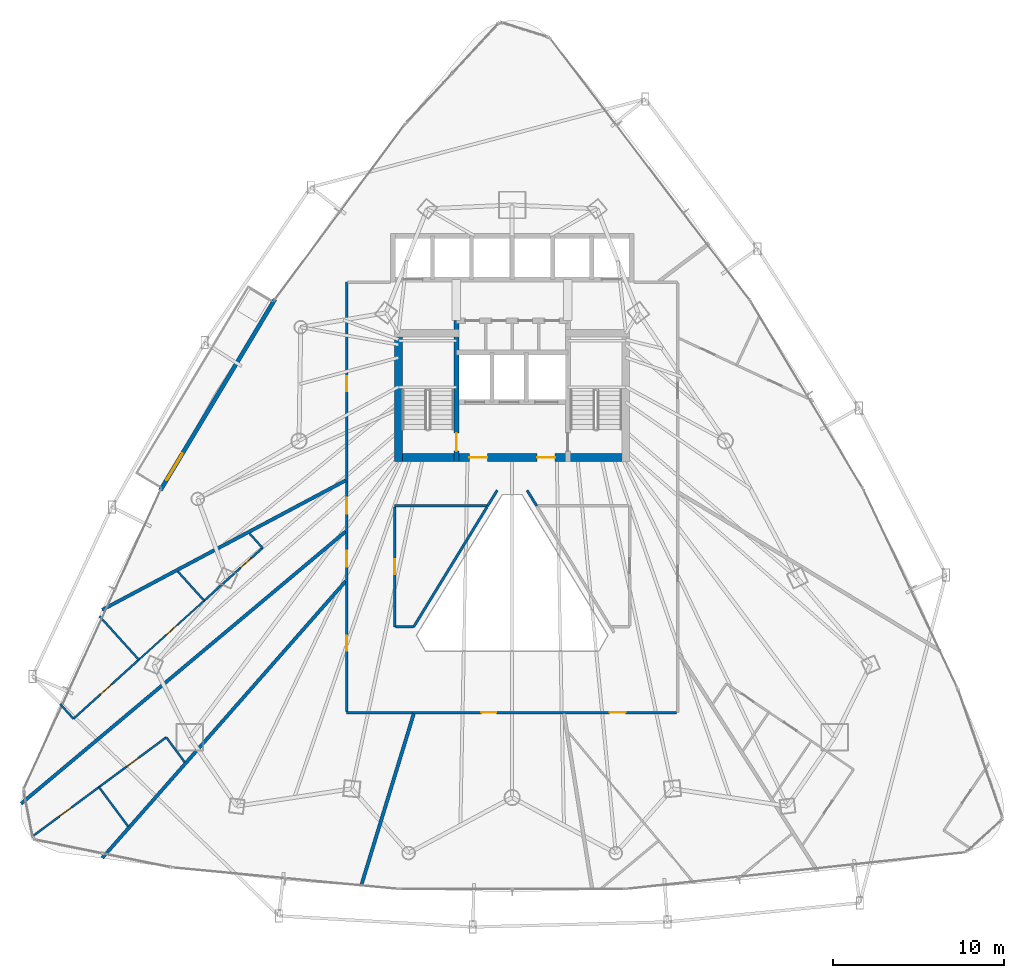
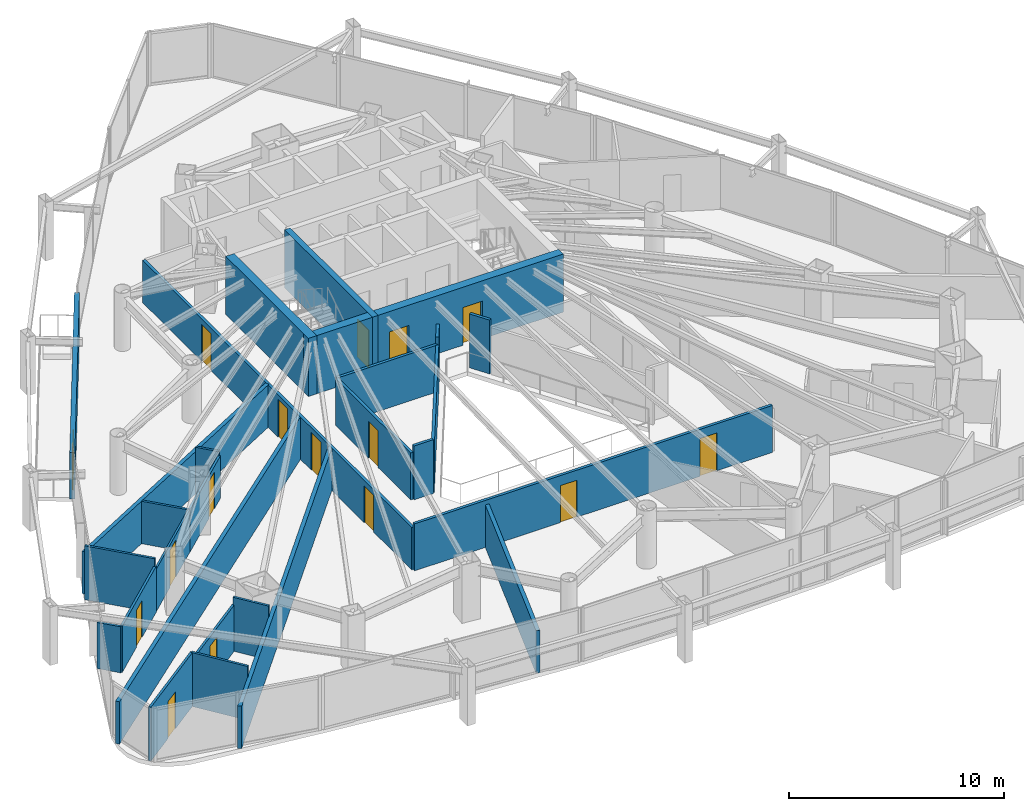
# One storey, part 32 of 38: 27 walls, 16 doors, 16 openings.
"""IFC4 building model written with IfcOpenShell, lengths in metres."""

from ifc_helpers import new_model, si_unit, direction, frame, frame_2d, origin, place, context, subcontext, project, spatial, rectangle, extrude, material, layer, layer_set, type_object, element, fill, save


model = new_model("IFC4")

# Units and contexts
model_context = context("Model", 3, precision=1e-05, world=origin(), true_north=direction((0.0, 1.0)))
body_context = subcontext(model_context, "Body", "Model", "MODEL_VIEW")
ifc_project = project(units=[si_unit("LENGTHUNIT", "METRE"), si_unit("AREAUNIT", "SQUARE_METRE"), si_unit("VOLUMEUNIT", "CUBIC_METRE"), si_unit("PLANEANGLEUNIT", "RADIAN"), si_unit("MASSUNIT", "GRAM", prefix="KILO")], contexts=[model_context])

# Site, building, storey
site_placement = place(None, origin())
site = spatial("IfcSite", under=ifc_project, at=site_placement, CompositionType="ELEMENT")
building_placement = place(site_placement, origin())
building = spatial("IfcBuilding", under=site, at=building_placement, Name="Orvanel Arch Residences", CompositionType="ELEMENT")
storey_placement = place(building_placement, frame((0.0, 0.0, 43.39990234375)))
storey = spatial("IfcBuildingStorey", under=building, at=storey_placement, Name="L11", CompositionType="ELEMENT", Elevation=43.39990234375)

# Wall, opening, door
ifc_material_1 = material(Name="Precast concrete N50 (50 MPa)", Category="concrete")
ifc_layer_1 = layer(ifc_material_1, 0.239990234375)
ifc_layer_set_1 = layer_set([ifc_layer_1], Name="Precast concrete N50 (50 MPa)")
wall_type_1 = type_object("IfcWallType", Name="EW-BAL-240", PredefinedType="SOLIDWALL", material=ifc_layer_set_1)
wall_1_placement = place(storey_placement, frame((19.162109375, 35.89599609375, 0.0), z_axis=(0.0, 0.0, 1.0), x_axis=(-0.514316069528, -0.857600711652, 0.0)))
wall_1 = element("IfcWall", 1, at=wall_1_placement, inside=storey, type_object=wall_type_1, Name="L11 Balcony Threshold Wall Face 1", PredefinedType="SOLIDWALL", context=body_context, shape_type="SweptSolid", body=[
    extrude(rectangle(XDim=12.988525390625, YDim=0.239990234375, at=frame_2d((6.494140625, 0.0))), origin(), (0.0, 0.0, 1.0), 2.6240234375),
])
opening_1_placement = place(wall_1_placement, frame((10.490966796875, 0.0, 0.0)))
opening_1 = element("IfcOpeningElement", 2, at=opening_1_placement, cuts=wall_1, Name="Opening DB-180", PredefinedType="OPENING", context=body_context, shape_type="SweptSolid", body=[
    extrude(rectangle(XDim=1.800048828125, YDim=2.199951171875, at=frame_2d((0.89990234375, 1.10009765625))), frame((0.0, 0.1298828125, 0.0), z_axis=(0.0, -1.0, 0.0), x_axis=(1.0, 0.0, 0.0)), (0.0, 0.0, 1.0), 0.260009765625),
])
ifc_material_2 = material(Name="Bronze-anodised aluminium AA6063-T6", Category="aluminium")
door_type_1 = type_object("IfcDoorType", Name="DR-BAL-1800", OperationType="NOTDEFINED", PredefinedType="DOOR", material=ifc_material_2)
door_1_placement = place(opening_1_placement, origin())
door_1 = element("IfcDoor", 3, at=door_1_placement, inside=storey, type_object=door_type_1, Name="DR-L11-BAL-F1 L11 Planted Balcony Access Door Face 1", OperationType="SINGLE_SWING_LEFT", OverallHeight=2.199951171875, OverallWidth=1.800048828125, PredefinedType="DOOR", context=body_context, shape_type="SweptSolid", body=[
    extrude(rectangle(XDim=1.800048828125, YDim=2.199951171875, at=frame_2d((0.89990234375, 1.10009765625))), frame((0.0, 0.02490234375, 0.0), z_axis=(0.0, -1.0, 0.0), x_axis=(1.0, 0.0, 0.0)), (0.0, 0.0, 1.0), 0.050048828125),
])
fill(opening_1, door_1)

ifc_material_3 = material(Name="Concrete S80 (80 MPa)", Category="concrete")
ifc_layer_2 = layer(ifc_material_3, 0.300048828125)
ifc_layer_set_2 = layer_set([ifc_layer_2], Name="Concrete S80 (80 MPa)")
wall_type_2 = type_object("IfcWallType", Name="SW-CORE-300", PredefinedType="SHEAR", material=ifc_layer_set_2)
wall_2_placement = place(storey_placement, frame((29.75, 26.449951171875, 0.0), z_axis=(0.0, 0.0, 1.0), x_axis=(0.0, 1.0, 0.0)))
wall_2 = element("IfcWall", 4, at=wall_2_placement, inside=storey, type_object=wall_type_2, Name="L11 West Inner Core Spine Shear Wall", PredefinedType="SHEAR", context=body_context, shape_type="SweptSolid", body=[
    extrude(rectangle(XDim=8.199951171875, YDim=0.300048828125, at=frame_2d((4.10009765625, 0.0))), origin(), (0.0, 0.0, 1.0), 3.300048828125),
])
opening_2_placement = place(wall_2_placement, frame((0.60009765625, 0.0, 0.0)))
opening_2 = element("IfcOpeningElement", 5, at=opening_2_placement, cuts=wall_2, Name="Opening DF-120", PredefinedType="OPENING", context=body_context, shape_type="SweptSolid", body=[
    extrude(rectangle(XDim=1.050048828125, YDim=2.14990234375, at=frame_2d((0.52490234375, 1.074951171875))), frame((0.0, 0.159912109375, 0.0), z_axis=(0.0, -1.0, 0.0), x_axis=(1.0, 0.0, 0.0)), (0.0, 0.0, 1.0), 0.320068359375),
])
ifc_material_4 = material(Name="Galvanised steel fire-resisting door assembly", Category="steel")
door_type_2 = type_object("IfcDoorType", Name="DR-FD120-1050", OperationType="NOTDEFINED", PredefinedType="DOOR", material=ifc_material_4)
door_2_placement = place(opening_2_placement, origin())
door_2 = element("IfcDoor", 6, at=door_2_placement, inside=storey, type_object=door_type_2, Name="DR-L11-ST1 L11 Stair 1 Fire Door", OperationType="SINGLE_SWING_LEFT", OverallHeight=2.14990234375, OverallWidth=1.050048828125, PredefinedType="DOOR", context=body_context, shape_type="SweptSolid", body=[
    extrude(rectangle(XDim=1.050048828125, YDim=2.14990234375, at=frame_2d((0.52490234375, 1.074951171875))), frame((0.0, 0.02490234375, 0.0), z_axis=(0.0, -1.0, 0.0), x_axis=(1.0, 0.0, 0.0)), (0.0, 0.0, 1.0), 0.050048828125),
])
fill(opening_2, door_2)

# Wall, openings, doors
ifc_layer_3 = layer(ifc_material_3, 0.449951171875)
ifc_layer_set_3 = layer_set([ifc_layer_3], Name="Concrete S80 (80 MPa)")
wall_type_3 = type_object("IfcWallType", Name="SW-CORE-450", PredefinedType="SHEAR", material=ifc_layer_set_3)
wall_3_placement = place(storey_placement, frame((26.14990234375, 26.675048828125, 0.0), z_axis=(0.0, 0.0, 1.0), x_axis=(1.0, 0.0, 0.0)))
wall_3 = element("IfcWall", 7, at=wall_3_placement, inside=storey, type_object=wall_type_3, Name="L11 South Core Shear Wall", PredefinedType="SHEAR", context=body_context, shape_type="SweptSolid", body=[
    extrude(rectangle(XDim=13.7001953125, YDim=0.449951171875, at=frame_2d((6.85009765625, 0.0))), origin(), (0.0, 0.0, 1.0), 3.300048828125),
])
opening_3_placement = place(wall_3_placement, frame((4.35009765625, 0.0, 0.0)))
opening_3 = element("IfcOpeningElement", 8, at=opening_3_placement, cuts=wall_3, Name="Opening DF-060", PredefinedType="OPENING", context=body_context, shape_type="SweptSolid", body=[
    extrude(rectangle(XDim=1.050048828125, YDim=2.14990234375, at=frame_2d((0.52490234375, 1.074951171875))), frame((0.0, 0.23486328125, 0.0), z_axis=(0.0, -1.0, 0.0), x_axis=(1.0, 0.0, 0.0)), (0.0, 0.0, 1.0), 0.469970703125),
])
opening_4_placement = place(wall_3_placement, frame((8.300048828125, 0.0, 0.0)))
opening_4 = element("IfcOpeningElement", 9, at=opening_4_placement, cuts=wall_3, Name="Opening DF-060", PredefinedType="OPENING", context=body_context, shape_type="SweptSolid", body=[
    extrude(rectangle(XDim=1.050048828125, YDim=2.14990234375, at=frame_2d((0.52490234375, 1.074951171875))), frame((0.0, 0.23486328125, 0.0), z_axis=(0.0, -1.0, 0.0), x_axis=(1.0, 0.0, 0.0)), (0.0, 0.0, 1.0), 0.469970703125),
])
door_type_3 = type_object("IfcDoorType", Name="DR-FD60-1050", OperationType="NOTDEFINED", PredefinedType="DOOR", material=ifc_material_4)
door_3_placement = place(opening_3_placement, origin())
door_3 = element("IfcDoor", 10, at=door_3_placement, inside=storey, type_object=door_type_3, Name="DR-L11-FFL-W L11 West Smoke Lobby Door", OperationType="SINGLE_SWING_LEFT", OverallHeight=2.14990234375, OverallWidth=1.050048828125, PredefinedType="DOOR", context=body_context, shape_type="SweptSolid", body=[
    extrude(rectangle(XDim=1.050048828125, YDim=2.14990234375, at=frame_2d((0.52490234375, 1.074951171875))), frame((0.0, 0.02490234375, 0.0), z_axis=(0.0, -1.0, 0.0), x_axis=(1.0, 0.0, 0.0)), (0.0, 0.0, 1.0), 0.050048828125),
])
fill(opening_3, door_3)
door_4_placement = place(opening_4_placement, origin())
door_4 = element("IfcDoor", 11, at=door_4_placement, inside=storey, type_object=door_type_3, Name="DR-L11-FFL-E L11 East Smoke Lobby Door", OperationType="SINGLE_SWING_RIGHT", OverallHeight=2.14990234375, OverallWidth=1.050048828125, PredefinedType="DOOR", context=body_context, shape_type="SweptSolid", body=[
    extrude(rectangle(XDim=1.050048828125, YDim=2.14990234375, at=frame_2d((0.52490234375, 1.074951171875))), frame((0.0, 0.02490234375, 0.0), z_axis=(0.0, -1.0, 0.0), x_axis=(1.0, 0.0, 0.0)), (0.0, 0.0, 1.0), 0.050048828125),
])
fill(opening_4, door_4)

# Wall
wall_4_placement = place(storey_placement, frame((26.375, 26.449951171875, 0.0), z_axis=(0.0, 0.0, 1.0), x_axis=(0.0, 1.0, 0.0)))
element("IfcWall", 12, at=wall_4_placement, inside=storey, type_object=wall_type_3, Name="L11 West Stair Shear Wall", PredefinedType="SHEAR", context=body_context, shape_type="SweptSolid", body=[
    extrude(rectangle(XDim=7.699951171875, YDim=0.449951171875, at=frame_2d((3.85009765625, 0.0))), origin(), (0.0, 0.0, 1.0), 3.300048828125),
])

# Wall, openings, doors
ifc_material_5 = material(Name="Fire-rated plasterboard lined steel stud partition", Category="steel")
ifc_layer_4 = layer(ifc_material_5, 0.14990234375)
ifc_layer_set_4 = layer_set([ifc_layer_4], Name="Fire-rated plasterboard lined steel stud partition")
wall_type_4 = type_object("IfcWallType", Name="W-COR-150", PredefinedType="PARTITIONING", material=ifc_layer_set_4)
wall_5_placement = place(storey_placement, frame((42.590087890625, 11.800048828125, 0.0), z_axis=(0.0, 0.0, 1.0), x_axis=(-1.0, 0.0, 0.0)))
wall_5 = element("IfcWall", 13, at=wall_5_placement, inside=storey, type_object=wall_type_4, Name="L11 Corridor Fire-Rated Partition", PredefinedType="PARTITIONING", context=body_context, shape_type="SweptSolid", body=[
    extrude(rectangle(XDim=19.239990234375, YDim=0.14990234375, at=frame_2d((9.6201171875, 0.0))), origin(), (0.0, 0.0, 1.0), 2.669189453125),
])
opening_5_placement = place(wall_5_placement, frame((10.508056640625, 0.0, 0.0)))
opening_5 = element("IfcOpeningElement", 14, at=opening_5_placement, cuts=wall_5, Name="Opening DI-088", PredefinedType="OPENING", context=body_context, shape_type="SweptSolid", body=[
    extrude(rectangle(XDim=0.8798828125, YDim=2.10009765625, at=frame_2d((0.43994140625, 1.050048828125))), frame((0.0, 0.0849609375, 0.0), z_axis=(0.0, -1.0, 0.0), x_axis=(1.0, 0.0, 0.0)), (0.0, 0.0, 1.0), 0.169921875),
])
opening_6_placement = place(wall_5_placement, frame((2.97998046875, 0.0, 0.0)))
opening_6 = element("IfcOpeningElement", 15, at=opening_6_placement, cuts=wall_5, Name="Opening DA-092", PredefinedType="OPENING", context=body_context, shape_type="SweptSolid", body=[
    extrude(rectangle(XDim=0.919921875, YDim=2.14990234375, at=frame_2d((0.4599609375, 1.074951171875))), frame((0.0, 0.0849609375, 0.0), z_axis=(0.0, -1.0, 0.0), x_axis=(1.0, 0.0, 0.0)), (0.0, 0.0, 1.0), 0.169921875),
])
ifc_material_6 = material(Name="Solid-core European oak veneer fire door leaf", Category="wood")
door_type_4 = type_object("IfcDoorType", Name="DR-APT-920", OperationType="NOTDEFINED", PredefinedType="DOOR", material=ifc_material_6)
door_5_placement = place(opening_6_placement, origin())
door_5 = element("IfcDoor", 16, at=door_5_placement, inside=storey, type_object=door_type_4, Name="DR-L11-F-ENT L11 Studio F Entrance Door", OperationType="SINGLE_SWING_LEFT", OverallHeight=2.14990234375, OverallWidth=0.919921875, PredefinedType="DOOR", context=body_context, shape_type="SweptSolid", body=[
    extrude(rectangle(XDim=0.919921875, YDim=2.14990234375, at=frame_2d((0.4599609375, 1.074951171875))), frame((0.0, 0.02490234375, 0.0), z_axis=(0.0, -1.0, 0.0), x_axis=(1.0, 0.0, 0.0)), (0.0, 0.0, 1.0), 0.050048828125),
])
fill(opening_6, door_5)
door_type_5 = type_object("IfcDoorType", Name="DR-INT-880", OperationType="NOTDEFINED", PredefinedType="DOOR", material=ifc_material_6)
door_6_placement = place(opening_5_placement, origin())
door_6 = element("IfcDoor", 17, at=door_6_placement, inside=storey, type_object=door_type_5, Name="DR-L11-SHRD-FB5 L11 Co-Working Study Office E Door", OperationType="SINGLE_SWING_LEFT", OverallHeight=2.10009765625, OverallWidth=0.8798828125, PredefinedType="DOOR", context=body_context, shape_type="SweptSolid", body=[
    extrude(rectangle(XDim=0.8798828125, YDim=2.10009765625, at=frame_2d((0.43994140625, 1.050048828125))), frame((0.0, 0.02490234375, 0.0), z_axis=(0.0, -1.0, 0.0), x_axis=(1.0, 0.0, 0.0)), (0.0, 0.0, 1.0), 0.050048828125),
])
fill(opening_5, door_6)

wall_6_placement = place(storey_placement, frame((23.35009765625, 11.860107421875, 0.0), z_axis=(0.0, 0.0, 1.0), x_axis=(0.0, 1.0, 0.0)))
wall_6 = element("IfcWall", 18, at=wall_6_placement, inside=storey, type_object=wall_type_4, Name="L11 Corridor Fire-Rated Partition", PredefinedType="PARTITIONING", context=body_context, shape_type="SweptSolid", body=[
    extrude(rectangle(XDim=25.039794921875, YDim=0.14990234375, at=frame_2d((12.52001953125, 0.0))), origin(), (0.0, 0.0, 1.0), 2.4130859375),
])
opening_7_placement = place(wall_6_placement, frame((18.669921875, 0.0, 0.0)))
opening_7 = element("IfcOpeningElement", 19, at=opening_7_placement, cuts=wall_6, Name="Opening DI-088", PredefinedType="OPENING", context=body_context, shape_type="SweptSolid", body=[
    extrude(rectangle(XDim=0.8798828125, YDim=2.10009765625, at=frame_2d((0.43994140625, 1.050048828125))), frame((0.0, 0.0849609375, 0.0), z_axis=(0.0, -1.0, 0.0), x_axis=(1.0, 0.0, 0.0)), (0.0, 0.0, 1.0), 0.169921875),
])
opening_8_placement = place(wall_6_placement, frame((3.54296875, 0.0, 0.0)))
opening_8 = element("IfcOpeningElement", 20, at=opening_8_placement, cuts=wall_6, Name="Opening DI-088", PredefinedType="OPENING", context=body_context, shape_type="SweptSolid", body=[
    extrude(rectangle(XDim=0.8798828125, YDim=2.10009765625, at=frame_2d((0.43994140625, 1.050048828125))), frame((0.0, 0.0849609375, 0.0), z_axis=(0.0, -1.0, 0.0), x_axis=(1.0, 0.0, 0.0)), (0.0, 0.0, 1.0), 0.169921875),
])
opening_9_placement = place(wall_6_placement, frame((8.445068359375, 0.0, 0.0)))
opening_9 = element("IfcOpeningElement", 21, at=opening_9_placement, cuts=wall_6, Name="Opening DA-092", PredefinedType="OPENING", context=body_context, shape_type="SweptSolid", body=[
    extrude(rectangle(XDim=0.919921875, YDim=2.14990234375, at=frame_2d((0.4599609375, 1.074951171875))), frame((0.0, 0.0849609375, 0.0), z_axis=(0.0, -1.0, 0.0), x_axis=(1.0, 0.0, 0.0)), (0.0, 0.0, 1.0), 0.169921875),
])
opening_10_placement = place(wall_6_placement, frame((11.534912109375, 0.0, 0.0)))
opening_10 = element("IfcOpeningElement", 22, at=opening_10_placement, cuts=wall_6, Name="Opening DA-092", PredefinedType="OPENING", context=body_context, shape_type="SweptSolid", body=[
    extrude(rectangle(XDim=0.919921875, YDim=2.14990234375, at=frame_2d((0.4599609375, 1.074951171875))), frame((0.0, 0.0849609375, 0.0), z_axis=(0.0, -1.0, 0.0), x_axis=(1.0, 0.0, 0.0)), (0.0, 0.0, 1.0), 0.169921875),
])
door_7_placement = place(opening_9_placement, origin())
door_7 = element("IfcDoor", 23, at=door_7_placement, inside=storey, type_object=door_type_4, Name="DR-L11-G-ENT L11 Studio G Entrance Door", OperationType="SINGLE_SWING_RIGHT", OverallHeight=2.14990234375, OverallWidth=0.919921875, PredefinedType="DOOR", context=body_context, shape_type="SweptSolid", body=[
    extrude(rectangle(XDim=0.919921875, YDim=2.14990234375, at=frame_2d((0.4599609375, 1.074951171875))), frame((0.0, 0.02490234375, 0.0), z_axis=(0.0, -1.0, 0.0), x_axis=(1.0, 0.0, 0.0)), (0.0, 0.0, 1.0), 0.050048828125),
])
fill(opening_9, door_7)
door_8_placement = place(opening_10_placement, origin())
door_8 = element("IfcDoor", 24, at=door_8_placement, inside=storey, type_object=door_type_4, Name="DR-L11-H-ENT L11 Studio H Entrance Door", OperationType="SINGLE_SWING_LEFT", OverallHeight=2.14990234375, OverallWidth=0.919921875, PredefinedType="DOOR", context=body_context, shape_type="SweptSolid", body=[
    extrude(rectangle(XDim=0.919921875, YDim=2.14990234375, at=frame_2d((0.4599609375, 1.074951171875))), frame((0.0, 0.02490234375, 0.0), z_axis=(0.0, -1.0, 0.0), x_axis=(1.0, 0.0, 0.0)), (0.0, 0.0, 1.0), 0.050048828125),
])
fill(opening_10, door_8)
door_9_placement = place(opening_7_placement, origin())
door_9 = element("IfcDoor", 25, at=door_9_placement, inside=storey, type_object=door_type_5, Name="DR-L11-SHRD-FB1 L11 Co-Working Study Office A Door", OperationType="SINGLE_SWING_LEFT", OverallHeight=2.10009765625, OverallWidth=0.8798828125, PredefinedType="DOOR", context=body_context, shape_type="SweptSolid", body=[
    extrude(rectangle(XDim=0.8798828125, YDim=2.10009765625, at=frame_2d((0.43994140625, 1.050048828125))), frame((0.0, 0.02490234375, 0.0), z_axis=(0.0, -1.0, 0.0), x_axis=(1.0, 0.0, 0.0)), (0.0, 0.0, 1.0), 0.050048828125),
])
fill(opening_7, door_9)
door_10_placement = place(opening_8_placement, origin())
door_10 = element("IfcDoor", 26, at=door_10_placement, inside=storey, type_object=door_type_5, Name="DR-L11-SHRD-FB3 L11 Co-Working Study Office C Door", OperationType="SINGLE_SWING_LEFT", OverallHeight=2.10009765625, OverallWidth=0.8798828125, PredefinedType="DOOR", context=body_context, shape_type="SweptSolid", body=[
    extrude(rectangle(XDim=0.8798828125, YDim=2.10009765625, at=frame_2d((0.43994140625, 1.050048828125))), frame((0.0, 0.02490234375, 0.0), z_axis=(0.0, -1.0, 0.0), x_axis=(1.0, 0.0, 0.0)), (0.0, 0.0, 1.0), 0.050048828125),
])
fill(opening_8, door_10)

# Walls
wall_7_placement = place(storey_placement, frame((32.12890625, 24.758056640625, 0.0), z_axis=(0.0, 0.0, 1.0), x_axis=(-0.525488010188, -0.850801005611, 0.0)))
element("IfcWall", 27, at=wall_7_placement, inside=storey, type_object=wall_type_4, Name="L11 Corridor Fire-Rated Partition", PredefinedType="PARTITIONING", context=body_context, shape_type="SweptSolid", body=[
    extrude(rectangle(XDim=1.067138671875, YDim=0.14990234375, at=frame_2d((0.53369140625, 0.0))), origin(), (0.0, 0.0, 1.0), 3.06005859375),
])
wall_8_placement = place(storey_placement, frame((31.568115234375, 23.85009765625, 0.0), z_axis=(0.0, 0.0, 1.0), x_axis=(-1.0, 0.0, 0.0)))
element("IfcWall", 28, at=wall_8_placement, inside=storey, type_object=wall_type_4, Name="L11 Corridor Fire-Rated Partition", PredefinedType="PARTITIONING", context=body_context, shape_type="SweptSolid", body=[
    extrude(rectangle(XDim=5.418212890625, YDim=0.14990234375, at=frame_2d((2.708984375, 0.0))), origin(), (0.0, 0.0, 1.0), 2.669189453125),
])

# Wall, opening, door
wall_9_placement = place(storey_placement, frame((26.14990234375, 23.7900390625, 0.0), z_axis=(0.0, 0.0, 1.0), x_axis=(0.0, -1.0, 0.0)))
wall_9 = element("IfcWall", 29, at=wall_9_placement, inside=storey, type_object=wall_type_4, Name="L11 Corridor Fire-Rated Partition", PredefinedType="PARTITIONING", context=body_context, shape_type="SweptSolid", body=[
    extrude(rectangle(XDim=6.989990234375, YDim=0.14990234375, at=frame_2d((3.4951171875, 0.0))), origin(), (0.0, 0.0, 1.0), 2.669189453125),
])
opening_11_placement = place(wall_9_placement, frame((3.054931640625, 0.0, 0.0)))
opening_11 = element("IfcOpeningElement", 30, at=opening_11_placement, cuts=wall_9, Name="Opening DI-088", PredefinedType="OPENING", context=body_context, shape_type="SweptSolid", body=[
    extrude(rectangle(XDim=0.8798828125, YDim=2.10009765625, at=frame_2d((0.43994140625, 1.050048828125))), frame((0.0, 0.0849609375, 0.0), z_axis=(0.0, -1.0, 0.0), x_axis=(1.0, 0.0, 0.0)), (0.0, 0.0, 1.0), 0.169921875),
])
door_11_placement = place(opening_11_placement, origin())
door_11 = element("IfcDoor", 31, at=door_11_placement, inside=storey, type_object=door_type_5, Name="DR-L11-SHRD-FB10 L11 Co-Working Study Office J Door", OperationType="SINGLE_SWING_LEFT", OverallHeight=2.10009765625, OverallWidth=0.8798828125, PredefinedType="DOOR", context=body_context, shape_type="SweptSolid", body=[
    extrude(rectangle(XDim=0.8798828125, YDim=2.10009765625, at=frame_2d((0.43994140625, 1.050048828125))), frame((0.0, 0.02490234375, 0.0), z_axis=(0.0, -1.0, 0.0), x_axis=(1.0, 0.0, 0.0)), (0.0, 0.0, 1.0), 0.050048828125),
])
fill(opening_11, door_11)

# Walls
wall_10_placement = place(storey_placement, frame((26.2099609375, 16.800048828125, 0.0), z_axis=(0.0, 0.0, 1.0), x_axis=(1.0, 0.0, 0.0)))
element("IfcWall", 32, at=wall_10_placement, inside=storey, type_object=wall_type_4, Name="L11 Corridor Fire-Rated Partition", PredefinedType="PARTITIONING", context=body_context, shape_type="SweptSolid", body=[
    extrude(rectangle(XDim=1.049072265625, YDim=0.14990234375, at=frame_2d((0.5244140625, 0.0))), origin(), (0.0, 0.0, 1.0), 3.06005859375),
])
wall_11_placement = place(storey_placement, frame((34.431884765625, 23.85009765625, 0.0), z_axis=(0.0, 0.0, 1.0), x_axis=(-0.525488010188, 0.850801005611, 0.0)))
element("IfcWall", 33, at=wall_11_placement, inside=storey, type_object=wall_type_4, Name="L11 Corridor Fire-Rated Partition", PredefinedType="PARTITIONING", context=body_context, shape_type="SweptSolid", body=[
    extrude(rectangle(XDim=1.067138671875, YDim=0.14990234375, at=frame_2d((0.53369140625, 0.0))), origin(), (0.0, 0.0, 1.0), 3.06005859375),
])
wall_12_placement = place(storey_placement, frame((27.259033203125, 16.801025390625, 0.0), z_axis=(0.0, 0.0, 1.0), x_axis=(0.522072924527, 0.852900850906, 0.0)))
element("IfcWall", 34, at=wall_12_placement, inside=storey, type_object=wall_type_4, Name="L11 Atrium Overlook Glazed Partition", PredefinedType="PARTITIONING", context=body_context, shape_type="SweptSolid", body=[
    extrude(rectangle(XDim=8.1943359375, YDim=0.14990234375, at=frame_2d((4.09716796875, 0.0))), origin(), (0.0, 0.0, 1.0), 2.669189453125),
])
ifc_layer_5 = layer(ifc_material_5, 0.199951171875)
ifc_layer_set_5 = layer_set([ifc_layer_5], Name="Fire-rated plasterboard lined steel stud partition")
wall_type_5 = type_object("IfcWallType", Name="W-DEM-200", PredefinedType="PARTITIONING", material=ifc_layer_set_5)
wall_13_placement = place(storey_placement, frame((23.2900390625, 25.3369140625, 0.0), z_axis=(0.0, 0.0, 1.0), x_axis=(-0.882959018112, -0.469450074379, 0.0)))
element("IfcWall", 35, at=wall_13_placement, inside=storey, type_object=wall_type_5, Name="L11 Inter-Tenancy Acoustic Demising Wall", PredefinedType="PARTITIONING", context=body_context, shape_type="SweptSolid", body=[
    extrude(rectangle(XDim=16.082275390625, YDim=0.199951171875, at=frame_2d((8.041015625, 0.0))), origin(), (0.0, 0.0, 1.0), 2.4130859375),
])
wall_14_placement = place(storey_placement, frame((27.263916015625, 11.739990234375, 0.0), z_axis=(0.0, 0.0, 1.0), x_axis=(-0.292294665238, -0.956328305904, 0.0)))
element("IfcWall", 36, at=wall_14_placement, inside=storey, type_object=wall_type_5, Name="L11 Inter-Tenancy Acoustic Demising Wall", PredefinedType="PARTITIONING", context=body_context, shape_type="SweptSolid", body=[
    extrude(rectangle(XDim=10.510009765625, YDim=0.199951171875, at=frame_2d((5.2548828125, 0.0))), origin(), (0.0, 0.0, 1.0), 2.4130859375),
])
wall_15_placement = place(storey_placement, frame((9.096923828125, 3.318115234375, 0.0), z_axis=(0.0, 0.0, 1.0), x_axis=(0.66036589704, 0.750943993935, 0.0)))
element("IfcWall", 37, at=wall_15_placement, inside=storey, type_object=wall_type_5, Name="L11 Inter-Tenancy Acoustic Demising Wall", PredefinedType="PARTITIONING", context=body_context, shape_type="SweptSolid", body=[
    extrude(rectangle(XDim=21.492919921875, YDim=0.199951171875, at=frame_2d((10.74658203125, 0.0))), origin(), (0.0, 0.0, 1.0), 2.4130859375),
])
wall_16_placement = place(storey_placement, frame((4.362060546875, 6.486083984375, 0.0), z_axis=(0.0, 0.0, 1.0), x_axis=(0.766256370513, 0.642534959865, 0.0)))
element("IfcWall", 38, at=wall_16_placement, inside=storey, type_object=wall_type_5, Name="L11 Inter-Tenancy Acoustic Demising Wall", PredefinedType="PARTITIONING", context=body_context, shape_type="SweptSolid", body=[
    extrude(rectangle(XDim=24.701904296875, YDim=0.199951171875, at=frame_2d((12.35107421875, 0.0))), origin(), (0.0, 0.0, 1.0), 2.4130859375),
])

# Wall, opening, door
ifc_material_7 = material(Name="Acoustic plasterboard lined twin-stud partition", Category="gypsum")
ifc_layer_6 = layer(ifc_material_7, 0.10009765625)
ifc_layer_set_6 = layer_set([ifc_layer_6], Name="Acoustic plasterboard lined twin-stud partition")
wall_type_6 = type_object("IfcWallType", Name="W-INT-100", PredefinedType="PARTITIONING", material=ifc_layer_set_6)
wall_17_placement = place(storey_placement, frame((11.22802734375, 14.8798828125, 0.0), z_axis=(0.0, 0.0, 1.0), x_axis=(0.742007319068, 0.670391779819, 0.0)))
wall_17 = element("IfcWall", 39, at=wall_17_placement, inside=storey, type_object=wall_type_6, Name="L11 Studio H Internal Partition", PredefinedType="PARTITIONING", context=body_context, shape_type="SweptSolid", body=[
    extrude(rectangle(XDim=5.137451171875, YDim=0.10009765625, at=frame_2d((2.56884765625, 0.0))), origin(), (0.0, 0.0, 1.0), 2.4130859375),
])
opening_12_placement = place(wall_17_placement, frame((2.12890625, 0.0, 0.0)))
opening_12 = element("IfcOpeningElement", 40, at=opening_12_placement, cuts=wall_17, Name="Opening DI-088", PredefinedType="OPENING", context=body_context, shape_type="SweptSolid", body=[
    extrude(rectangle(XDim=0.8798828125, YDim=2.10009765625, at=frame_2d((0.43994140625, 1.050048828125))), frame((0.0, 0.06005859375, 0.0), z_axis=(0.0, -1.0, 0.0), x_axis=(1.0, 0.0, 0.0)), (0.0, 0.0, 1.0), 0.1201171875),
])
door_12_placement = place(opening_12_placement, origin())
door_12 = element("IfcDoor", 41, at=door_12_placement, inside=storey, type_object=door_type_5, Name="DR-L11-H-DIN1 L11 Studio H Dining Room 1 Door", OperationType="SINGLE_SWING_LEFT", OverallHeight=2.10009765625, OverallWidth=0.8798828125, PredefinedType="DOOR", context=body_context, shape_type="SweptSolid", body=[
    extrude(rectangle(XDim=0.8798828125, YDim=2.10009765625, at=frame_2d((0.43994140625, 1.050048828125))), frame((0.0, 0.02490234375, 0.0), z_axis=(0.0, -1.0, 0.0), x_axis=(1.0, 0.0, 0.0)), (0.0, 0.0, 1.0), 0.050048828125),
])
fill(opening_12, door_12)

# Wall
ifc_layer_7 = layer(ifc_material_7, 0.1201171875)
ifc_layer_set_7 = layer_set([ifc_layer_7], Name="Acoustic plasterboard lined twin-stud partition")
wall_type_7 = type_object("IfcWallType", Name="W-WET-120", PredefinedType="PARTITIONING", material=ifc_layer_set_7)
wall_18_placement = place(storey_placement, frame((13.89990234375, 8.908935546875, 0.0), z_axis=(0.0, 0.0, 1.0), x_axis=(-0.595282665334, 0.803516364708, 0.0)))
element("IfcWall", 42, at=wall_18_placement, inside=storey, type_object=wall_type_7, Name="L11 Studio G Bathroom Partition", PredefinedType="PARTITIONING", context=body_context, shape_type="SweptSolid", body=[
    extrude(rectangle(XDim=1.80078125, YDim=0.1201171875, at=frame_2d((0.900390625, 0.0))), origin(), (0.0, 0.0, 1.0), 3.06005859375),
])

# Wall, opening, door
wall_19_placement = place(storey_placement, frame((12.827880859375, 10.35595703125, 0.0), z_axis=(0.0, 0.0, 1.0), x_axis=(-0.803609449498, -0.595156998344, 0.0)))
wall_19 = element("IfcWall", 43, at=wall_19_placement, inside=storey, type_object=wall_type_7, Name="L11 Studio G Bathroom Partition", PredefinedType="PARTITIONING", context=body_context, shape_type="SweptSolid", body=[
    extrude(rectangle(XDim=4.8828125, YDim=0.1201171875, at=frame_2d((2.44140625, 0.0))), origin(), (0.0, 0.0, 1.0), 2.619140625),
])
opening_13_placement = place(wall_19_placement, frame((2.031005859375, 0.0, 0.0)))
opening_13 = element("IfcOpeningElement", 44, at=opening_13_placement, cuts=wall_19, Name="Opening DW-082", PredefinedType="OPENING", context=body_context, shape_type="SweptSolid", body=[
    extrude(rectangle(XDim=0.820068359375, YDim=2.10009765625, at=frame_2d((0.41015625, 1.050048828125))), frame((0.0, 0.070068359375, 0.0), z_axis=(0.0, -1.0, 0.0), x_axis=(1.0, 0.0, 0.0)), (0.0, 0.0, 1.0), 0.14013671875),
])
door_type_6 = type_object("IfcDoorType", Name="DR-WET-820", OperationType="NOTDEFINED", PredefinedType="DOOR", material=ifc_material_6)
door_13_placement = place(opening_13_placement, origin())
door_13 = element("IfcDoor", 45, at=door_13_placement, inside=storey, type_object=door_type_6, Name="DR-L11-G-BATH L11 Studio G Bathroom Door", OperationType="SINGLE_SWING_RIGHT", OverallHeight=2.10009765625, OverallWidth=0.820068359375, PredefinedType="DOOR", context=body_context, shape_type="SweptSolid", body=[
    extrude(rectangle(XDim=0.820068359375, YDim=2.10009765625, at=frame_2d((0.41015625, 1.050048828125))), frame((0.0, 0.02490234375, 0.0), z_axis=(0.0, -1.0, 0.0), x_axis=(1.0, 0.0, 0.0)), (0.0, 0.0, 1.0), 0.050048828125),
])
fill(opening_13, door_13)

wall_20_placement = place(storey_placement, frame((8.904052734375, 7.449951171875, 0.0), z_axis=(0.0, 0.0, 1.0), x_axis=(-0.803552768464, -0.595233524168, 0.0)))
wall_20 = element("IfcWall", 46, at=wall_20_placement, inside=storey, type_object=wall_type_7, Name="L11 Studio G Internal Partition", PredefinedType="PARTITIONING", context=body_context, shape_type="SweptSolid", body=[
    extrude(rectangle(XDim=4.886962890625, YDim=0.1201171875, at=frame_2d((2.443359375, 0.0))), origin(), (0.0, 0.0, 1.0), 3.06005859375),
])
opening_14_placement = place(wall_20_placement, frame((2.00390625, 0.0, 0.0)))
opening_14 = element("IfcOpeningElement", 47, at=opening_14_placement, cuts=wall_20, Name="Opening DI-088", PredefinedType="OPENING", context=body_context, shape_type="SweptSolid", body=[
    extrude(rectangle(XDim=0.8798828125, YDim=2.10009765625, at=frame_2d((0.43994140625, 1.050048828125))), frame((0.0, 0.070068359375, 0.0), z_axis=(0.0, -1.0, 0.0), x_axis=(1.0, 0.0, 0.0)), (0.0, 0.0, 1.0), 0.14013671875),
])
door_14_placement = place(opening_14_placement, origin())
door_14 = element("IfcDoor", 48, at=door_14_placement, inside=storey, type_object=door_type_5, Name="DR-L11-G-KIT L11 Studio G Kitchenette Door", OperationType="SINGLE_SWING_LEFT", OverallHeight=2.10009765625, OverallWidth=0.8798828125, PredefinedType="DOOR", context=body_context, shape_type="SweptSolid", body=[
    extrude(rectangle(XDim=0.8798828125, YDim=2.10009765625, at=frame_2d((0.43994140625, 1.050048828125))), frame((0.0, 0.02490234375, 0.0), z_axis=(0.0, -1.0, 0.0), x_axis=(1.0, 0.0, 0.0)), (0.0, 0.0, 1.0), 0.050048828125),
])
fill(opening_14, door_14)

# Wall
wall_21_placement = place(storey_placement, frame((10.60205078125, 5.157958984375, 0.0), z_axis=(0.0, 0.0, 1.0), x_axis=(-0.595278721497, 0.803519286472, 0.0)))
element("IfcWall", 49, at=wall_21_placement, inside=storey, type_object=wall_type_7, Name="L11 Studio G Bathroom Partition", PredefinedType="PARTITIONING", context=body_context, shape_type="SweptSolid", body=[
    extrude(rectangle(XDim=2.8525390625, YDim=0.1201171875, at=frame_2d((1.42626953125, 0.0))), origin(), (0.0, 0.0, 1.0), 3.06005859375),
])

# Wall, opening, door
wall_22_placement = place(storey_placement, frame((15.0400390625, 18.323974609375, 0.0), z_axis=(0.0, 0.0, 1.0), x_axis=(0.741971948415, 0.670430926916, 0.0)))
wall_22 = element("IfcWall", 50, at=wall_22_placement, inside=storey, type_object=wall_type_7, Name="L11 Studio H Bathroom Partition", PredefinedType="PARTITIONING", context=body_context, shape_type="SweptSolid", body=[
    extrude(rectangle(XDim=4.58642578125, YDim=0.1201171875, at=frame_2d((2.293212890625, 0.0))), origin(), (0.0, 0.0, 1.0), 2.4130859375),
])
opening_15_placement = place(wall_22_placement, frame((2.860107421875, 0.0, 0.0)))
opening_15 = element("IfcOpeningElement", 51, at=opening_15_placement, cuts=wall_22, Name="Opening DW-082", PredefinedType="OPENING", context=body_context, shape_type="SweptSolid", body=[
    extrude(rectangle(XDim=0.820068359375, YDim=2.10009765625, at=frame_2d((0.41015625, 1.050048828125))), frame((0.0, 0.070068359375, 0.0), z_axis=(0.0, -1.0, 0.0), x_axis=(1.0, 0.0, 0.0)), (0.0, 0.0, 1.0), 0.14013671875),
])
door_15_placement = place(opening_15_placement, origin())
door_15 = element("IfcDoor", 52, at=door_15_placement, inside=storey, type_object=door_type_6, Name="DR-L11-H-BATH L11 Studio H Bathroom Door", OperationType="SINGLE_SWING_RIGHT", OverallHeight=2.10009765625, OverallWidth=0.820068359375, PredefinedType="DOOR", context=body_context, shape_type="SweptSolid", body=[
    extrude(rectangle(XDim=0.820068359375, YDim=2.10009765625, at=frame_2d((0.41015625, 1.050048828125))), frame((0.0, 0.02490234375, 0.0), z_axis=(0.0, -1.0, 0.0), x_axis=(1.0, 0.0, 0.0)), (0.0, 0.0, 1.0), 0.050048828125),
])
fill(opening_15, door_15)

# Walls
wall_23_placement = place(storey_placement, frame((18.443115234375, 21.39892578125, 0.0), z_axis=(0.0, 0.0, 1.0), x_axis=(-0.670112835353, 0.742259245746, 0.0)))
element("IfcWall", 53, at=wall_23_placement, inside=storey, type_object=wall_type_7, Name="L11 Studio H Bathroom Partition", PredefinedType="PARTITIONING", context=body_context, shape_type="SweptSolid", body=[
    extrude(rectangle(XDim=1.150634765625, YDim=0.1201171875, at=frame_2d((0.5751953125, 0.0))), origin(), (0.0, 0.0, 1.0), 2.669189453125),
])
wall_24_placement = place(storey_placement, frame((6.64208984375, 12.29296875, 0.0), z_axis=(0.0, 0.0, 1.0), x_axis=(0.670248695606, -0.742136568321, 0.0)))
element("IfcWall", 54, at=wall_24_placement, inside=storey, type_object=wall_type_7, Name="L11 Studio H Internal Partition", PredefinedType="PARTITIONING", context=body_context, shape_type="SweptSolid", body=[
    extrude(rectangle(XDim=1.15478515625, YDim=0.1201171875, at=frame_2d((0.577392578125, 0.0))), origin(), (0.0, 0.0, 1.0), 2.619140625),
])

# Wall, opening, door
wall_25_placement = place(storey_placement, frame((7.416015625, 11.43603515625, 0.0), z_axis=(0.0, 0.0, 1.0), x_axis=(0.742030958457, 0.670365614192, 0.0)))
wall_25 = element("IfcWall", 55, at=wall_25_placement, inside=storey, type_object=wall_type_7, Name="L11 Studio H Internal Partition", PredefinedType="PARTITIONING", context=body_context, shape_type="SweptSolid", body=[
    extrude(rectangle(XDim=5.13720703125, YDim=0.1201171875, at=frame_2d((2.568603515625, 0.0))), origin(), (0.0, 0.0, 1.0), 2.619140625),
])
opening_16_placement = place(wall_25_placement, frame((2.12890625, 0.0, 0.0)))
opening_16 = element("IfcOpeningElement", 56, at=opening_16_placement, cuts=wall_25, Name="Opening DI-088", PredefinedType="OPENING", context=body_context, shape_type="SweptSolid", body=[
    extrude(rectangle(XDim=0.8798828125, YDim=2.10009765625, at=frame_2d((0.43994140625, 1.050048828125))), frame((0.0, 0.070068359375, 0.0), z_axis=(0.0, -1.0, 0.0), x_axis=(1.0, 0.0, 0.0)), (0.0, 0.0, 1.0), 0.14013671875),
])
door_16_placement = place(opening_16_placement, origin())
door_16 = element("IfcDoor", 57, at=door_16_placement, inside=storey, type_object=door_type_5, Name="DR-L11-H-KIT L11 Studio H Kitchenette Door", OperationType="SINGLE_SWING_LEFT", OverallHeight=2.10009765625, OverallWidth=0.8798828125, PredefinedType="DOOR", context=body_context, shape_type="SweptSolid", body=[
    extrude(rectangle(XDim=0.8798828125, YDim=2.10009765625, at=frame_2d((0.43994140625, 1.050048828125))), frame((0.0, 0.02490234375, 0.0), z_axis=(0.0, -1.0, 0.0), x_axis=(1.0, 0.0, 0.0)), (0.0, 0.0, 1.0), 0.050048828125),
])
fill(opening_16, door_16)

# Walls
wall_26_placement = place(storey_placement, frame((15.0400390625, 18.323974609375, 0.0), z_axis=(0.0, 0.0, 1.0), x_axis=(-0.670602478911, 0.741816901451, 0.0)))
element("IfcWall", 58, at=wall_26_placement, inside=storey, type_object=wall_type_7, Name="L11 Studio H Bathroom Partition", PredefinedType="PARTITIONING", context=body_context, shape_type="SweptSolid", body=[
    extrude(rectangle(XDim=2.3037109375, YDim=0.1201171875, at=frame_2d((1.15185546875, 0.0))), origin(), (0.0, 0.0, 1.0), 2.4130859375),
])
wall_27_placement = place(storey_placement, frame((8.930908203125, 17.422119140625, 0.0), z_axis=(0.0, 0.0, 1.0), x_axis=(0.670431816202, -0.741971144873, 0.0)))
element("IfcWall", 59, at=wall_27_placement, inside=storey, type_object=wall_type_7, Name="L11 Studio H Internal Partition", PredefinedType="PARTITIONING", context=body_context, shape_type="SweptSolid", body=[
    extrude(rectangle(XDim=3.42626953125, YDim=0.1201171875, at=frame_2d((1.713134765625, 0.0))), origin(), (0.0, 0.0, 1.0), 3.06005859375),
])

save(model, "model.ifc")
